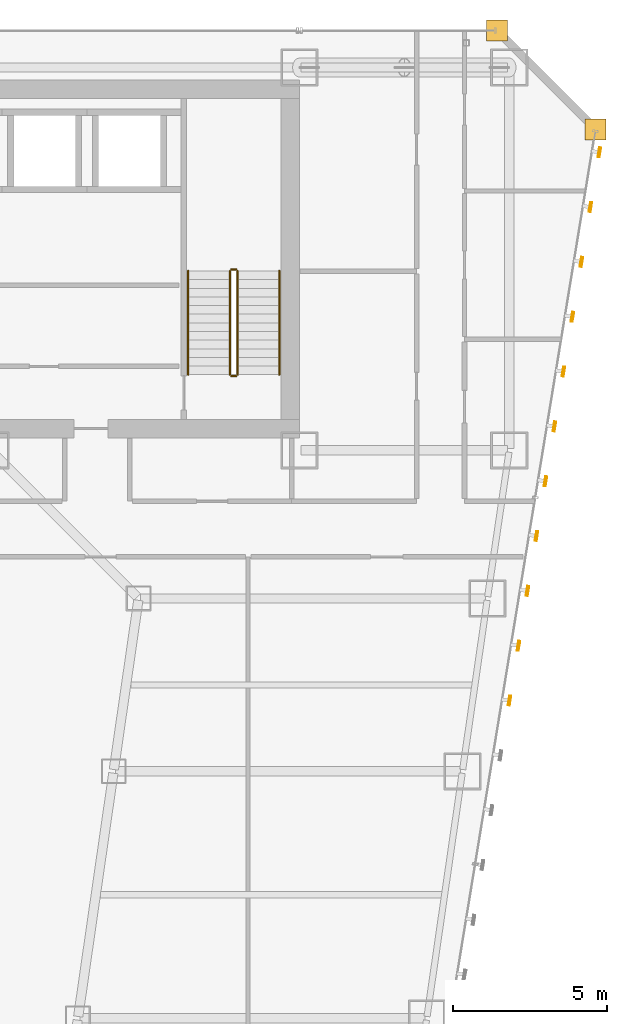
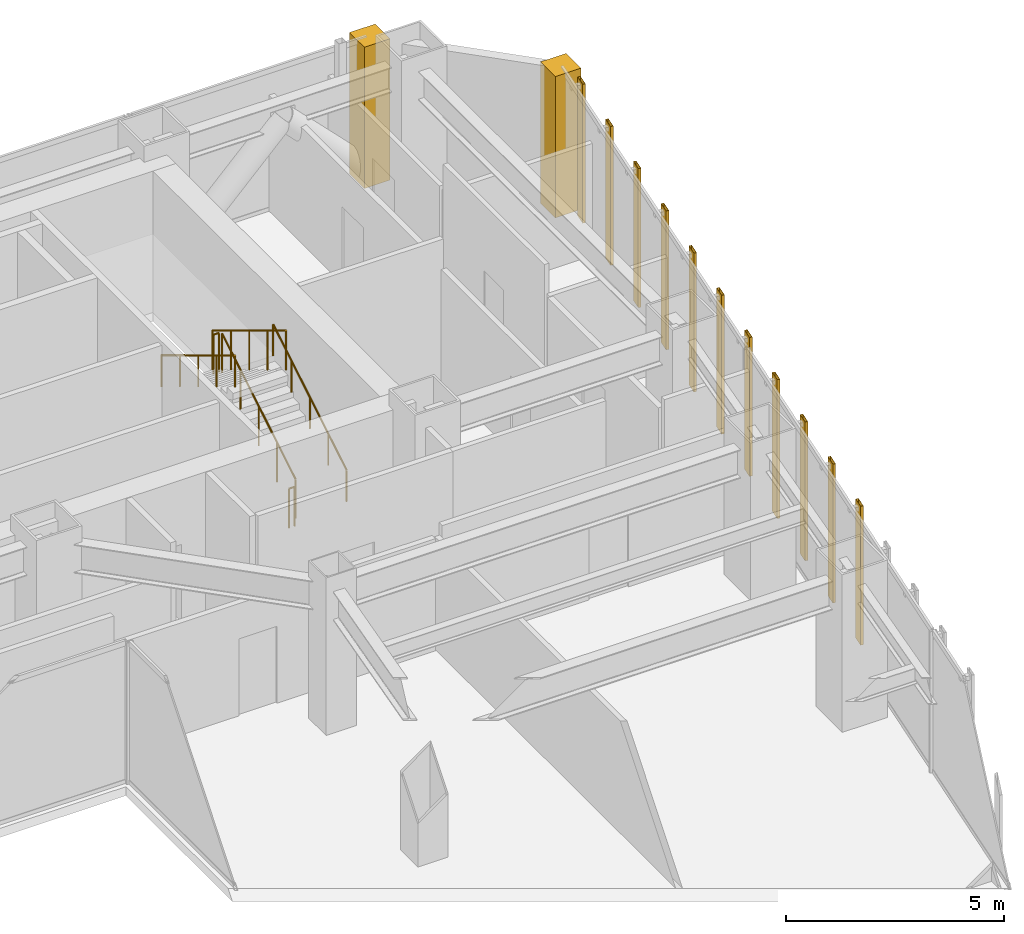
# One storey, part 47 of 47: 11 shading devices, 6 railings, 2 coverings.
"""IFC4 building model written with IfcOpenShell, lengths in metres."""

from ifc_helpers import new_model, si_unit, direction, frame, origin, origin_2d, place, context, subcontext, project, spatial, polyline, hollow_rectangle, circle, outline, extrude, material, layer, layer_set, material_profile, profile_set, type_object, element, save


model = new_model("IFC4")

# Units and contexts
model_context = context("Model", 3, precision=1e-05, world=origin(), true_north=direction((0.0, 1.0)))
body_context = subcontext(model_context, "Body", "Model", "MODEL_VIEW")
ifc_project = project(units=[si_unit("LENGTHUNIT", "METRE"), si_unit("AREAUNIT", "SQUARE_METRE"), si_unit("VOLUMEUNIT", "CUBIC_METRE"), si_unit("PLANEANGLEUNIT", "RADIAN"), si_unit("MASSUNIT", "GRAM", prefix="KILO")], contexts=[model_context])

# Site, building, storey
site_placement = place(None, origin())
site = spatial("IfcSite", under=ifc_project, at=site_placement, CompositionType="ELEMENT")
building_placement = place(site_placement, origin())
building = spatial("IfcBuilding", under=site, at=building_placement, Name="Saevonmaru Cultural Tower", CompositionType="ELEMENT")
storey_placement = place(building_placement, frame((0.0, 0.0, 82.39990234375)))
storey = spatial("IfcBuildingStorey", under=building, at=storey_placement, Name="L17", CompositionType="ELEMENT", Elevation=82.39990234375)

# Coverings
ifc_material_1 = material(Name="Satin Bronze Anodised Aluminium", Category="aluminium")
ifc_layer = layer(ifc_material_1, 0.679931640625, Name="Satin Bronze Anodised Aluminium")
ifc_layer_set = layer_set([ifc_layer], Name="Satin Bronze Anodised Aluminium")
covering_type = type_object("IfcCoveringType", Name="CV-CORNER-CLAD", PredefinedType="CLADDING", material=ifc_layer_set)
covering_1_placement = place(storey_placement, origin())
element("IfcCovering", 1, at=covering_1_placement, inside=storey, type_object=covering_type, Name="L17 Tower Bronze Corner Cladding Pier 9", PredefinedType="CLADDING", context=body_context, shape_type="SweptSolid", body=[
    extrude(outline(polyline([(55.659912109375, 52.4599609375), (56.340087890625, 52.4599609375), (56.340087890625, 53.139892578125), (55.659912109375, 53.139892578125), (55.659912109375, 52.4599609375)])), origin(), (0.0, 0.0, 1.0), 3.9501953125),
])
covering_2_placement = place(storey_placement, origin())
element("IfcCovering", 2, at=covering_2_placement, inside=storey, type_object=covering_type, Name="L17 Tower Bronze Corner Cladding Pier 10", PredefinedType="CLADDING", context=body_context, shape_type="SweptSolid", body=[
    extrude(outline(polyline([(52.4599609375, 55.659912109375), (53.139892578125, 55.659912109375), (53.139892578125, 56.340087890625), (52.4599609375, 56.340087890625), (52.4599609375, 55.659912109375)])), origin(), (0.0, 0.0, 1.0), 3.9501953125),
])

# Railings
ifc_material_2 = material(Name="Architectural Painted Steel", Category="steel")
railing_type_1 = type_object("IfcRailingType", Name="RL-STAIR-GUARD", PredefinedType="GUARDRAIL", material=ifc_material_2)
railing_1_placement = place(storey_placement, frame((44.39990234375, 44.85009765625, 0.16943359375)))
element("IfcRailing", 3, at=railing_1_placement, inside=storey, type_object=railing_type_1, Name="L17 ST-2 stair guard 1", PredefinedType="GUARDRAIL", context=body_context, shape_type="SweptSolid", body=[
    extrude(circle(Radius=0.02392578125, at=origin_2d()), frame((0.0, 0.0, 1.09619140625), z_axis=(0.0, 0.855820338506, 0.51727318527), x_axis=(-1.0, 0.0, 0.0)), (0.0, 0.0, 1.0), 3.92578125),
    extrude(circle(Radius=0.02099609375, at=origin_2d()), origin(), (0.0, 0.0, 1.0), 1.072021484375),
    extrude(circle(Radius=0.02099609375, at=origin_2d()), frame((0.0, 0.83984375, 0.5078125)), (0.0, 0.0, 1.0), 1.072021484375),
    extrude(circle(Radius=0.02099609375, at=origin_2d()), frame((0.0, 1.679931640625, 1.015380859375)), (0.0, 0.0, 1.0), 1.072021484375),
    extrude(circle(Radius=0.02099609375, at=origin_2d()), frame((0.0, 2.52001953125, 1.52294921875)), (0.0, 0.0, 1.0), 1.072021484375),
    extrude(circle(Radius=0.02099609375, at=origin_2d()), frame((0.0, 3.35986328125, 2.03076171875)), (0.0, 0.0, 1.0), 1.072021484375),
])
railing_2_placement = place(storey_placement, frame((44.35009765625, 48.260009765625, 2.2001953125)))
element("IfcRailing", 4, at=railing_2_placement, inside=storey, type_object=railing_type_1, Name="L17 ST-2 stair guard 2", PredefinedType="GUARDRAIL", context=body_context, shape_type="SweptSolid", body=[
    extrude(circle(Radius=0.02392578125, at=origin_2d()), frame((0.0, 0.0, 1.09619140625), z_axis=(-1.0, 0.0, 0.0), x_axis=(0.0, -1.0, 0.0)), (0.0, 0.0, 1.0), 0.150146484375),
    extrude(circle(Radius=0.02099609375, at=origin_2d()), origin(), (0.0, 0.0, 1.0), 1.072021484375),
    extrude(circle(Radius=0.02099609375, at=origin_2d()), frame((-0.150146484375, 0.0, 0.0)), (0.0, 0.0, 1.0), 1.072021484375),
])
railing_3_placement = place(storey_placement, frame((44.14990234375, 48.2099609375, 2.369384765625)))
element("IfcRailing", 5, at=railing_3_placement, inside=storey, type_object=railing_type_1, Name="L17 ST-2 stair guard 3", PredefinedType="GUARDRAIL", context=body_context, shape_type="SweptSolid", body=[
    extrude(circle(Radius=0.02392578125, at=origin_2d()), frame((0.0, 0.0, 1.09619140625), z_axis=(0.0, -0.855820338506, 0.51727318527), x_axis=(1.0, 0.0, 0.0)), (0.0, 0.0, 1.0), 3.92578125),
    extrude(circle(Radius=0.02099609375, at=origin_2d()), origin(), (0.0, 0.0, 1.0), 1.072021484375),
    extrude(circle(Radius=0.02099609375, at=origin_2d()), frame((0.0, -0.83984375, 0.5078125)), (0.0, 0.0, 1.0), 1.072021484375),
    extrude(circle(Radius=0.02099609375, at=origin_2d()), frame((0.0, -1.679931640625, 1.015380859375)), (0.0, 0.0, 1.0), 1.072021484375),
    extrude(circle(Radius=0.02099609375, at=origin_2d()), frame((0.0, -2.52001953125, 1.52294921875)), (0.0, 0.0, 1.0), 1.072021484375),
    extrude(circle(Radius=0.02099609375, at=origin_2d()), frame((0.0, -3.35986328125, 2.03076171875)), (0.0, 0.0, 1.0), 1.072021484375),
])
railing_4_placement = place(storey_placement, frame((44.35009765625, 44.800048828125, 0.0)))
element("IfcRailing", 6, at=railing_4_placement, inside=storey, type_object=railing_type_1, Name="L17 ST-2 stair guard 4", PredefinedType="GUARDRAIL", context=body_context, shape_type="SweptSolid", body=[
    extrude(circle(Radius=0.02392578125, at=origin_2d()), frame((0.0, 0.0, 1.09619140625), z_axis=(-1.0, 0.0, 0.0), x_axis=(0.0, -1.0, 0.0)), (0.0, 0.0, 1.0), 0.150146484375),
    extrude(circle(Radius=0.02099609375, at=origin_2d()), origin(), (0.0, 0.0, 1.0), 1.072021484375),
    extrude(circle(Radius=0.02099609375, at=origin_2d()), frame((-0.150146484375, 0.0, 0.0)), (0.0, 0.0, 1.0), 1.072021484375),
])
railing_type_2 = type_object("IfcRailingType", Name="RL-STAIR-HANDRAIL", PredefinedType="HANDRAIL", material=ifc_material_1)
railing_5_placement = place(storey_placement, frame((45.75, 44.85009765625, 0.16943359375)))
element("IfcRailing", 7, at=railing_5_placement, inside=storey, type_object=railing_type_2, Name="L17 ST-2 stair handrail 1", PredefinedType="HANDRAIL", context=body_context, shape_type="SweptSolid", body=[
    extrude(circle(Radius=0.02392578125, at=origin_2d()), frame((0.0, 0.0, 0.8759765625), z_axis=(0.0, 0.855820338506, 0.51727318527), x_axis=(-1.0, 0.0, 0.0)), (0.0, 0.0, 1.0), 3.92578125),
    extrude(circle(Radius=0.02099609375, at=origin_2d()), origin(), (0.0, 0.0, 1.0), 0.851806640625),
    extrude(circle(Radius=0.02099609375, at=origin_2d()), frame((0.0, 0.83984375, 0.5078125)), (0.0, 0.0, 1.0), 0.851806640625),
    extrude(circle(Radius=0.02099609375, at=origin_2d()), frame((0.0, 1.679931640625, 1.015380859375)), (0.0, 0.0, 1.0), 0.851806640625),
    extrude(circle(Radius=0.02099609375, at=origin_2d()), frame((0.0, 2.52001953125, 1.52294921875)), (0.0, 0.0, 1.0), 0.851806640625),
    extrude(circle(Radius=0.02099609375, at=origin_2d()), frame((0.0, 3.35986328125, 2.03076171875)), (0.0, 0.0, 1.0), 0.851806640625),
])
railing_6_placement = place(storey_placement, frame((42.800048828125, 48.2099609375, 2.369384765625)))
element("IfcRailing", 8, at=railing_6_placement, inside=storey, type_object=railing_type_2, Name="L17 ST-2 stair handrail 2", PredefinedType="HANDRAIL", context=body_context, shape_type="SweptSolid", body=[
    extrude(circle(Radius=0.02392578125, at=origin_2d()), frame((0.0, 0.0, 0.8759765625), z_axis=(0.0, -0.855820338506, 0.51727318527), x_axis=(1.0, 0.0, 0.0)), (0.0, 0.0, 1.0), 3.92578125),
    extrude(circle(Radius=0.02099609375, at=origin_2d()), origin(), (0.0, 0.0, 1.0), 0.851806640625),
    extrude(circle(Radius=0.02099609375, at=origin_2d()), frame((0.0, -0.83984375, 0.5078125)), (0.0, 0.0, 1.0), 0.851806640625),
    extrude(circle(Radius=0.02099609375, at=origin_2d()), frame((0.0, -1.679931640625, 1.015380859375)), (0.0, 0.0, 1.0), 0.851806640625),
    extrude(circle(Radius=0.02099609375, at=origin_2d()), frame((0.0, -2.52001953125, 1.52294921875)), (0.0, 0.0, 1.0), 0.851806640625),
    extrude(circle(Radius=0.02099609375, at=origin_2d()), frame((0.0, -3.35986328125, 2.03076171875)), (0.0, 0.0, 1.0), 0.851806640625),
])

# Shading devices
ifc_material_profile = material_profile(ifc_material_1, hollow_rectangle(XDim=0.070068359375, YDim=0.320068359375, WallThickness=0.0048828125, at=origin_2d()), Name="FIN-320x70")
ifc_profile_set = profile_set([ifc_material_profile], Name="Satin Bronze Anodised Aluminium")
shading_device_type = type_object("IfcShadingDeviceType", Name="SHD-FIN-320", PredefinedType="JALOUSIE", material=ifc_profile_set)
for number, where, z_axis, x_axis, name in (
    (9, (53.210205078125, 34.2900390625, 0.050048828125), (0.0, 0.0, 1.0), (0.986827496189, -0.161776057456, 0.0), "L17 Art Deco Sawtooth Bronze Fin E8-17"),
    (10, (53.501220703125, 36.06640625, 0.050048828125), (0.0, 0.0, 1.0), (0.986827496189, -0.161776057456, 0.0), "L17 Art Deco Sawtooth Bronze Fin E8-18"),
    (11, (53.792236328125, 37.8427734375, 0.050048828125), (0.0, 0.0, 1.0), (0.986827496189, -0.161776057456, 0.0), "L17 Art Deco Sawtooth Bronze Fin E8-19"),
    (12, (54.083251953125, 39.618896484375, 0.050048828125), (0.0, 0.0, 1.0), (0.986827496189, -0.161776057456, 0.0), "L17 Art Deco Sawtooth Bronze Fin E8-20"),
    (13, (54.37451171875, 41.3955078125, 0.050048828125), (0.0, 0.0, 1.0), (0.986827496189, -0.161776057456, 0.0), "L17 Art Deco Sawtooth Bronze Fin E8-21"),
    (14, (54.665283203125, 43.171630859375, 0.050048828125), (0.0, 0.0, 1.0), (0.986827496189, -0.161776057456, 0.0), "L17 Art Deco Sawtooth Bronze Fin E8-22"),
    (15, (54.95654296875, 44.947998046875, 0.050048828125), (0.0, 0.0, 1.0), (0.986827496189, -0.161776057456, 0.0), "L17 Art Deco Sawtooth Bronze Fin E8-23"),
    (16, (55.24755859375, 46.724365234375, 0.050048828125), (0.0, 0.0, 1.0), (0.986827496189, -0.161776057456, 0.0), "L17 Art Deco Sawtooth Bronze Fin E8-24"),
    (17, (55.538818359375, 48.50048828125, 0.050048828125), (0.0, 0.0, 1.0), (0.986827496189, -0.161776057456, 0.0), "L17 Art Deco Sawtooth Bronze Fin E8-25"),
    (18, (55.829833984375, 50.27685546875, 0.050048828125), (0.0, 0.0, 1.0), (0.986827496189, -0.161776057456, 0.0), "L17 Art Deco Sawtooth Bronze Fin E8-26"),
    (19, (56.120849609375, 52.05322265625, 0.050048828125), (0.0, 0.0, 1.0), (0.986827496189, -0.161776057456, 0.0), "L17 Art Deco Sawtooth Bronze Fin E8-27"),
):
    element("IfcShadingDevice", number, at=place(storey_placement, frame(where, z_axis=z_axis, x_axis=x_axis)), inside=storey, type_object=shading_device_type, Name=name, PredefinedType="JALOUSIE", context=body_context, shape_type="SweptSolid", body=[
        extrude(hollow_rectangle(XDim=0.070068359375, YDim=0.320068359375, WallThickness=0.0048828125, at=origin_2d()), origin(), (0.0, 0.0, 1.0), 3.880126953125),
    ])

save(model, "model.ifc")
